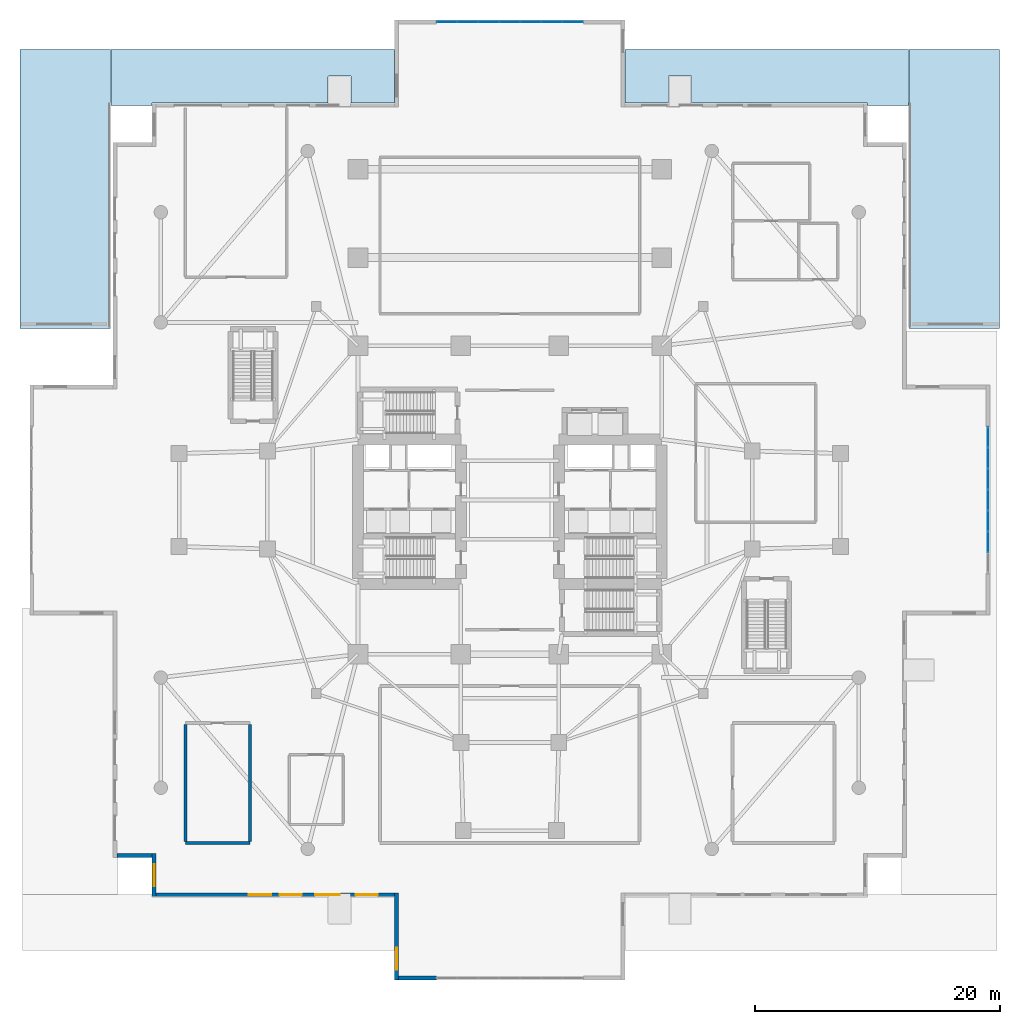
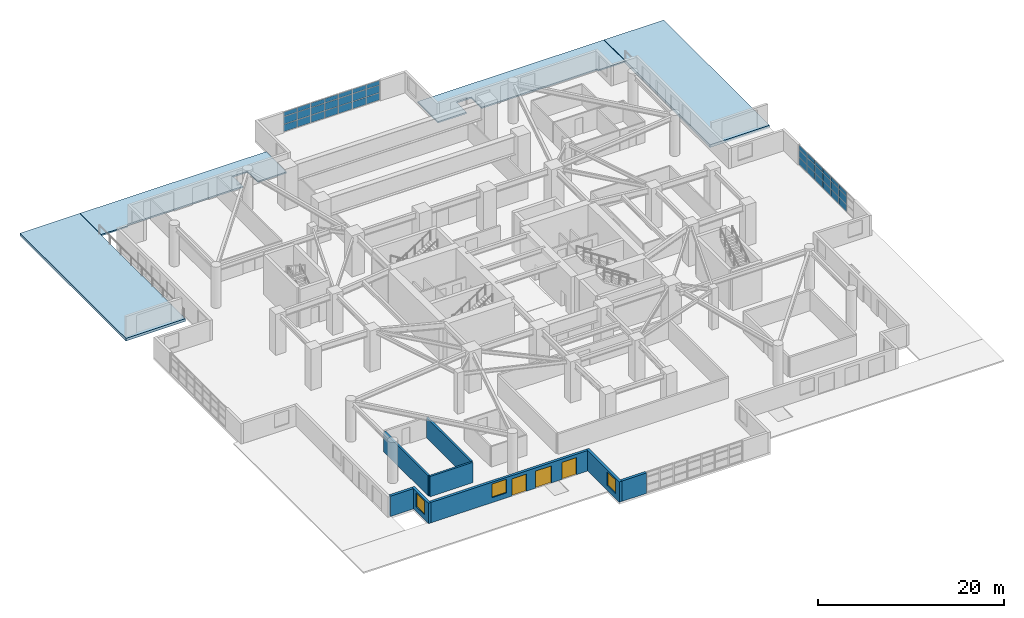
# One storey, part 12 of 24: 39 plates, 8 walls, 4 slabs, 3 doors, 3 windows, 6 openings, 2 elements without a shape of their own.
"""IFC4 building model written with IfcOpenShell, lengths in metres."""

from ifc_helpers import new_model, si_unit, direction, frame, frame_2d, origin, origin_2d, place, context, subcontext, project, spatial, polyline, rectangle, outline, extrude, material, layer, layer_set, type_object, element, fill, aggregate, save


model = new_model("IFC4")

# Units and contexts
model_context = context("Model", 3, precision=1e-05, world=origin(), true_north=direction((0.0, 1.0)))
body_context = subcontext(model_context, "Body", "Model", "MODEL_VIEW")
ifc_project = project(units=[si_unit("LENGTHUNIT", "METRE"), si_unit("AREAUNIT", "SQUARE_METRE"), si_unit("VOLUMEUNIT", "CUBIC_METRE"), si_unit("PLANEANGLEUNIT", "RADIAN"), si_unit("MASSUNIT", "GRAM", prefix="KILO")], contexts=[model_context])

# Site, building, storey
site_placement = place(None, origin())
site = spatial("IfcSite", under=ifc_project, at=site_placement, CompositionType="ELEMENT")
building_placement = place(site_placement, origin())
building = spatial("IfcBuilding", under=site, at=building_placement, Name="Qingluan Cross Belvedere", CompositionType="ELEMENT")
storey_placement = place(building_placement, origin())
storey = spatial("IfcBuildingStorey", under=building, at=storey_placement, Name="L01", CompositionType="ELEMENT", Elevation=0.0)

# Curtain wall, plates
ifc_material_1 = material(Name="Thermally broken aluminium and Low-E glass", Category="aluminium")
ifc_layer_1 = layer(ifc_material_1, 0.199951171875, Name="UnitisedCW_PodiumArrival")
ifc_layer_set_1 = layer_set([ifc_layer_1], Name="Thermally broken aluminium and Low-E glass")
curtain_wall_type = type_object("IfcCurtainWallType", Name="UnitisedCW_PodiumArrival", PredefinedType="USERDEFINED", material=ifc_layer_set_1)
curtain_wall_1_placement = place(storey_placement, origin())
curtain_wall_1 = element("IfcCurtainWall", 1, at=curtain_wall_1_placement, inside=storey, type_object=curtain_wall_type, Name="UnitisedCW_PodiumArrival run env:cw:L01:N", ObjectType="UNITISED CURTAIN WALL", PredefinedType="USERDEFINED")
ifc_material_2 = material(Name="Ceramic-fritted insulated spandrel glass", Category="glass")
ifc_layer_2 = layer(ifc_material_2, 0.0439453125, Name="CWSpandrelPanel_44")
ifc_layer_set_2 = layer_set([ifc_layer_2], Name="Ceramic-fritted insulated spandrel glass")
plate_type = type_object("IfcPlateType", Name="CWSpandrelPanel_44", PredefinedType="CURTAIN_PANEL", material=ifc_layer_set_2)
plate_1_placement = place(storey_placement, frame((-5.1279296875, 39.0400390625, 0.06005859375), z_axis=(0.0, 0.0, 1.0), x_axis=(1.0, 0.0, 0.0)))
plate_1 = element("IfcPlate", 2, at=plate_1_placement, type_object=plate_type, Name="CW-P1 panel 1.1", PredefinedType="CURTAIN_PANEL", context=body_context, shape_type="SweptSolid", body=[
    extrude(rectangle(XDim=1.624267578125, YDim=0.028076171875, at=origin_2d()), origin(), (0.0, 0.0, 1.0), 0.927978515625),
])
plate_2_placement = place(storey_placement, frame((-5.1279296875, 39.0400390625, 1.048095703125), z_axis=(0.0, 0.0, 1.0), x_axis=(1.0, 0.0, 0.0)))
plate_2 = element("IfcPlate", 3, at=plate_2_placement, type_object=plate_type, Name="CW-P1 panel 1.2", PredefinedType="CURTAIN_PANEL", context=body_context, shape_type="SweptSolid", body=[
    extrude(rectangle(XDim=1.624267578125, YDim=0.028076171875, at=origin_2d()), origin(), (0.0, 0.0, 1.0), 0.958984375),
])
plate_3_placement = place(storey_placement, frame((-5.1279296875, 39.0400390625, 2.06689453125), z_axis=(0.0, 0.0, 1.0), x_axis=(1.0, 0.0, 0.0)))
plate_3 = element("IfcPlate", 4, at=plate_3_placement, type_object=plate_type, Name="CW-P1 panel 1.3", PredefinedType="CURTAIN_PANEL", context=body_context, shape_type="SweptSolid", body=[
    extrude(rectangle(XDim=1.624267578125, YDim=0.028076171875, at=origin_2d()), origin(), (0.0, 0.0, 1.0), 0.552978515625),
])
plate_4_placement = place(storey_placement, frame((-3.428466796875, 39.0400390625, 0.06005859375), z_axis=(0.0, 0.0, 1.0), x_axis=(1.0, 0.0, 0.0)))
plate_4 = element("IfcPlate", 5, at=plate_4_placement, type_object=plate_type, Name="CW-P1 panel 2.1", PredefinedType="CURTAIN_PANEL", context=body_context, shape_type="SweptSolid", body=[
    extrude(rectangle(XDim=1.654296875, YDim=0.028076171875, at=origin_2d()), origin(), (0.0, 0.0, 1.0), 0.927978515625),
])
plate_5_placement = place(storey_placement, frame((-3.428466796875, 39.0400390625, 1.048095703125), z_axis=(0.0, 0.0, 1.0), x_axis=(1.0, 0.0, 0.0)))
plate_5 = element("IfcPlate", 6, at=plate_5_placement, type_object=plate_type, Name="CW-P1 panel 2.2", PredefinedType="CURTAIN_PANEL", context=body_context, shape_type="SweptSolid", body=[
    extrude(rectangle(XDim=1.654296875, YDim=0.028076171875, at=origin_2d()), origin(), (0.0, 0.0, 1.0), 0.958984375),
])
plate_6_placement = place(storey_placement, frame((-3.428466796875, 39.0400390625, 2.06689453125), z_axis=(0.0, 0.0, 1.0), x_axis=(1.0, 0.0, 0.0)))
plate_6 = element("IfcPlate", 7, at=plate_6_placement, type_object=plate_type, Name="CW-P1 panel 2.3", PredefinedType="CURTAIN_PANEL", context=body_context, shape_type="SweptSolid", body=[
    extrude(rectangle(XDim=1.654296875, YDim=0.028076171875, at=origin_2d()), origin(), (0.0, 0.0, 1.0), 0.552978515625),
])
plate_7_placement = place(storey_placement, frame((-1.71435546875, 39.0400390625, 0.06005859375), z_axis=(0.0, 0.0, 1.0), x_axis=(1.0, 0.0, 0.0)))
plate_7 = element("IfcPlate", 8, at=plate_7_placement, type_object=plate_type, Name="CW-P1 panel 3.1", PredefinedType="CURTAIN_PANEL", context=body_context, shape_type="SweptSolid", body=[
    extrude(rectangle(XDim=1.654296875, YDim=0.028076171875, at=origin_2d()), origin(), (0.0, 0.0, 1.0), 0.927978515625),
])
plate_8_placement = place(storey_placement, frame((-1.71435546875, 39.0400390625, 1.048095703125), z_axis=(0.0, 0.0, 1.0), x_axis=(1.0, 0.0, 0.0)))
plate_8 = element("IfcPlate", 9, at=plate_8_placement, type_object=plate_type, Name="CW-P1 panel 3.2", PredefinedType="CURTAIN_PANEL", context=body_context, shape_type="SweptSolid", body=[
    extrude(rectangle(XDim=1.654296875, YDim=0.028076171875, at=origin_2d()), origin(), (0.0, 0.0, 1.0), 0.958984375),
])
plate_9_placement = place(storey_placement, frame((-1.71435546875, 39.0400390625, 2.06689453125), z_axis=(0.0, 0.0, 1.0), x_axis=(1.0, 0.0, 0.0)))
plate_9 = element("IfcPlate", 10, at=plate_9_placement, type_object=plate_type, Name="CW-P1 panel 3.3", PredefinedType="CURTAIN_PANEL", context=body_context, shape_type="SweptSolid", body=[
    extrude(rectangle(XDim=1.654296875, YDim=0.028076171875, at=origin_2d()), origin(), (0.0, 0.0, 1.0), 0.552978515625),
])
plate_10_placement = place(storey_placement, frame((0.0, 39.0400390625, 0.06005859375), z_axis=(0.0, 0.0, 1.0), x_axis=(1.0, 0.0, 0.0)))
plate_10 = element("IfcPlate", 11, at=plate_10_placement, type_object=plate_type, Name="CW-P1 panel 4.1", PredefinedType="CURTAIN_PANEL", context=body_context, shape_type="SweptSolid", body=[
    extrude(rectangle(XDim=1.654296875, YDim=0.028076171875, at=origin_2d()), origin(), (0.0, 0.0, 1.0), 0.927978515625),
])
plate_11_placement = place(storey_placement, frame((0.0, 39.0400390625, 1.048095703125), z_axis=(0.0, 0.0, 1.0), x_axis=(1.0, 0.0, 0.0)))
plate_11 = element("IfcPlate", 12, at=plate_11_placement, type_object=plate_type, Name="CW-P1 panel 4.2", PredefinedType="CURTAIN_PANEL", context=body_context, shape_type="SweptSolid", body=[
    extrude(rectangle(XDim=1.654296875, YDim=0.028076171875, at=origin_2d()), origin(), (0.0, 0.0, 1.0), 0.958984375),
])
plate_12_placement = place(storey_placement, frame((0.0, 39.0400390625, 2.06689453125), z_axis=(0.0, 0.0, 1.0), x_axis=(1.0, 0.0, 0.0)))
plate_12 = element("IfcPlate", 13, at=plate_12_placement, type_object=plate_type, Name="CW-P1 panel 4.3", PredefinedType="CURTAIN_PANEL", context=body_context, shape_type="SweptSolid", body=[
    extrude(rectangle(XDim=1.654296875, YDim=0.028076171875, at=origin_2d()), origin(), (0.0, 0.0, 1.0), 0.552978515625),
])
plate_13_placement = place(storey_placement, frame((1.71435546875, 39.0400390625, 0.06005859375), z_axis=(0.0, 0.0, 1.0), x_axis=(1.0, 0.0, 0.0)))
plate_13 = element("IfcPlate", 14, at=plate_13_placement, type_object=plate_type, Name="CW-P1 panel 5.1", PredefinedType="CURTAIN_PANEL", context=body_context, shape_type="SweptSolid", body=[
    extrude(rectangle(XDim=1.654296875, YDim=0.028076171875, at=origin_2d()), origin(), (0.0, 0.0, 1.0), 0.927978515625),
])
plate_14_placement = place(storey_placement, frame((1.71435546875, 39.0400390625, 1.048095703125), z_axis=(0.0, 0.0, 1.0), x_axis=(1.0, 0.0, 0.0)))
plate_14 = element("IfcPlate", 15, at=plate_14_placement, type_object=plate_type, Name="CW-P1 panel 5.2", PredefinedType="CURTAIN_PANEL", context=body_context, shape_type="SweptSolid", body=[
    extrude(rectangle(XDim=1.654296875, YDim=0.028076171875, at=origin_2d()), origin(), (0.0, 0.0, 1.0), 0.958984375),
])
plate_15_placement = place(storey_placement, frame((1.71435546875, 39.0400390625, 2.06689453125), z_axis=(0.0, 0.0, 1.0), x_axis=(1.0, 0.0, 0.0)))
plate_15 = element("IfcPlate", 16, at=plate_15_placement, type_object=plate_type, Name="CW-P1 panel 5.3", PredefinedType="CURTAIN_PANEL", context=body_context, shape_type="SweptSolid", body=[
    extrude(rectangle(XDim=1.654296875, YDim=0.028076171875, at=origin_2d()), origin(), (0.0, 0.0, 1.0), 0.552978515625),
])
plate_16_placement = place(storey_placement, frame((3.428466796875, 39.0400390625, 0.06005859375), z_axis=(0.0, 0.0, 1.0), x_axis=(1.0, 0.0, 0.0)))
plate_16 = element("IfcPlate", 17, at=plate_16_placement, type_object=plate_type, Name="CW-P1 panel 6.1", PredefinedType="CURTAIN_PANEL", context=body_context, shape_type="SweptSolid", body=[
    extrude(rectangle(XDim=1.654296875, YDim=0.028076171875, at=origin_2d()), origin(), (0.0, 0.0, 1.0), 0.927978515625),
])
plate_17_placement = place(storey_placement, frame((3.428466796875, 39.0400390625, 1.048095703125), z_axis=(0.0, 0.0, 1.0), x_axis=(1.0, 0.0, 0.0)))
plate_17 = element("IfcPlate", 18, at=plate_17_placement, type_object=plate_type, Name="CW-P1 panel 6.2", PredefinedType="CURTAIN_PANEL", context=body_context, shape_type="SweptSolid", body=[
    extrude(rectangle(XDim=1.654296875, YDim=0.028076171875, at=origin_2d()), origin(), (0.0, 0.0, 1.0), 0.958984375),
])
plate_18_placement = place(storey_placement, frame((3.428466796875, 39.0400390625, 2.06689453125), z_axis=(0.0, 0.0, 1.0), x_axis=(1.0, 0.0, 0.0)))
plate_18 = element("IfcPlate", 19, at=plate_18_placement, type_object=plate_type, Name="CW-P1 panel 6.3", PredefinedType="CURTAIN_PANEL", context=body_context, shape_type="SweptSolid", body=[
    extrude(rectangle(XDim=1.654296875, YDim=0.028076171875, at=origin_2d()), origin(), (0.0, 0.0, 1.0), 0.552978515625),
])
plate_19_placement = place(storey_placement, frame((5.1279296875, 39.0400390625, 0.06005859375), z_axis=(0.0, 0.0, 1.0), x_axis=(1.0, 0.0, 0.0)))
plate_19 = element("IfcPlate", 20, at=plate_19_placement, type_object=plate_type, Name="CW-P1 panel 7.1", PredefinedType="CURTAIN_PANEL", context=body_context, shape_type="SweptSolid", body=[
    extrude(rectangle(XDim=1.624267578125, YDim=0.028076171875, at=origin_2d()), origin(), (0.0, 0.0, 1.0), 0.927978515625),
])
plate_20_placement = place(storey_placement, frame((5.1279296875, 39.0400390625, 1.048095703125), z_axis=(0.0, 0.0, 1.0), x_axis=(1.0, 0.0, 0.0)))
plate_20 = element("IfcPlate", 21, at=plate_20_placement, type_object=plate_type, Name="CW-P1 panel 7.2", PredefinedType="CURTAIN_PANEL", context=body_context, shape_type="SweptSolid", body=[
    extrude(rectangle(XDim=1.624267578125, YDim=0.028076171875, at=origin_2d()), origin(), (0.0, 0.0, 1.0), 0.958984375),
])
plate_21_placement = place(storey_placement, frame((5.1279296875, 39.0400390625, 2.06689453125), z_axis=(0.0, 0.0, 1.0), x_axis=(1.0, 0.0, 0.0)))
plate_21 = element("IfcPlate", 22, at=plate_21_placement, type_object=plate_type, Name="CW-P1 panel 7.3", PredefinedType="CURTAIN_PANEL", context=body_context, shape_type="SweptSolid", body=[
    extrude(rectangle(XDim=1.624267578125, YDim=0.028076171875, at=origin_2d()), origin(), (0.0, 0.0, 1.0), 0.552978515625),
])
aggregate(curtain_wall_1, [plate_1, plate_2, plate_3, plate_4, plate_5, plate_6, plate_7, plate_8, plate_9, plate_10, plate_11, plate_12, plate_13, plate_14, plate_15, plate_16, plate_17, plate_18, plate_19, plate_20, plate_21])

curtain_wall_2_placement = place(storey_placement, origin())
curtain_wall_2 = element("IfcCurtainWall", 23, at=curtain_wall_2_placement, inside=storey, type_object=curtain_wall_type, Name="UnitisedCW_PodiumArrival run env:cw:L01:E", ObjectType="UNITISED CURTAIN WALL", PredefinedType="USERDEFINED")
plate_22_placement = place(storey_placement, frame((39.0400390625, 5.1279296875, 0.06005859375), z_axis=(0.0, 0.0, 1.0), x_axis=(0.0, -1.0, 0.0)))
plate_22 = element("IfcPlate", 24, at=plate_22_placement, type_object=plate_type, Name="CW-P1 panel 1.1", PredefinedType="CURTAIN_PANEL", context=body_context, shape_type="SweptSolid", body=[
    extrude(rectangle(XDim=1.624267578125, YDim=0.028076171875, at=origin_2d()), origin(), (0.0, 0.0, 1.0), 0.927978515625),
])
plate_23_placement = place(storey_placement, frame((39.0400390625, 5.1279296875, 1.048095703125), z_axis=(0.0, 0.0, 1.0), x_axis=(0.0, -1.0, 0.0)))
plate_23 = element("IfcPlate", 25, at=plate_23_placement, type_object=plate_type, Name="CW-P1 panel 1.2", PredefinedType="CURTAIN_PANEL", context=body_context, shape_type="SweptSolid", body=[
    extrude(rectangle(XDim=1.624267578125, YDim=0.028076171875, at=origin_2d()), origin(), (0.0, 0.0, 1.0), 0.958984375),
])
plate_24_placement = place(storey_placement, frame((39.0400390625, 5.1279296875, 2.06689453125), z_axis=(0.0, 0.0, 1.0), x_axis=(0.0, -1.0, 0.0)))
plate_24 = element("IfcPlate", 26, at=plate_24_placement, type_object=plate_type, Name="CW-P1 panel 1.3", PredefinedType="CURTAIN_PANEL", context=body_context, shape_type="SweptSolid", body=[
    extrude(rectangle(XDim=1.624267578125, YDim=0.028076171875, at=origin_2d()), origin(), (0.0, 0.0, 1.0), 0.552978515625),
])
plate_25_placement = place(storey_placement, frame((39.0400390625, 3.428466796875, 0.06005859375), z_axis=(0.0, 0.0, 1.0), x_axis=(0.0, -1.0, 0.0)))
plate_25 = element("IfcPlate", 27, at=plate_25_placement, type_object=plate_type, Name="CW-P1 panel 2.1", PredefinedType="CURTAIN_PANEL", context=body_context, shape_type="SweptSolid", body=[
    extrude(rectangle(XDim=1.654296875, YDim=0.028076171875, at=origin_2d()), origin(), (0.0, 0.0, 1.0), 0.927978515625),
])
plate_26_placement = place(storey_placement, frame((39.0400390625, 3.428466796875, 1.048095703125), z_axis=(0.0, 0.0, 1.0), x_axis=(0.0, -1.0, 0.0)))
plate_26 = element("IfcPlate", 28, at=plate_26_placement, type_object=plate_type, Name="CW-P1 panel 2.2", PredefinedType="CURTAIN_PANEL", context=body_context, shape_type="SweptSolid", body=[
    extrude(rectangle(XDim=1.654296875, YDim=0.028076171875, at=origin_2d()), origin(), (0.0, 0.0, 1.0), 0.958984375),
])
plate_27_placement = place(storey_placement, frame((39.0400390625, 3.428466796875, 2.06689453125), z_axis=(0.0, 0.0, 1.0), x_axis=(0.0, -1.0, 0.0)))
plate_27 = element("IfcPlate", 29, at=plate_27_placement, type_object=plate_type, Name="CW-P1 panel 2.3", PredefinedType="CURTAIN_PANEL", context=body_context, shape_type="SweptSolid", body=[
    extrude(rectangle(XDim=1.654296875, YDim=0.028076171875, at=origin_2d()), origin(), (0.0, 0.0, 1.0), 0.552978515625),
])
plate_28_placement = place(storey_placement, frame((39.0400390625, 1.71435546875, 0.06005859375), z_axis=(0.0, 0.0, 1.0), x_axis=(0.0, -1.0, 0.0)))
plate_28 = element("IfcPlate", 30, at=plate_28_placement, type_object=plate_type, Name="CW-P1 panel 3.1", PredefinedType="CURTAIN_PANEL", context=body_context, shape_type="SweptSolid", body=[
    extrude(rectangle(XDim=1.654296875, YDim=0.028076171875, at=origin_2d()), origin(), (0.0, 0.0, 1.0), 0.927978515625),
])
plate_29_placement = place(storey_placement, frame((39.0400390625, 1.71435546875, 1.048095703125), z_axis=(0.0, 0.0, 1.0), x_axis=(0.0, -1.0, 0.0)))
plate_29 = element("IfcPlate", 31, at=plate_29_placement, type_object=plate_type, Name="CW-P1 panel 3.2", PredefinedType="CURTAIN_PANEL", context=body_context, shape_type="SweptSolid", body=[
    extrude(rectangle(XDim=1.654296875, YDim=0.028076171875, at=origin_2d()), origin(), (0.0, 0.0, 1.0), 0.958984375),
])
plate_30_placement = place(storey_placement, frame((39.0400390625, 1.71435546875, 2.06689453125), z_axis=(0.0, 0.0, 1.0), x_axis=(0.0, -1.0, 0.0)))
plate_30 = element("IfcPlate", 32, at=plate_30_placement, type_object=plate_type, Name="CW-P1 panel 3.3", PredefinedType="CURTAIN_PANEL", context=body_context, shape_type="SweptSolid", body=[
    extrude(rectangle(XDim=1.654296875, YDim=0.028076171875, at=origin_2d()), origin(), (0.0, 0.0, 1.0), 0.552978515625),
])
plate_31_placement = place(storey_placement, frame((39.0400390625, 0.0, 0.06005859375), z_axis=(0.0, 0.0, 1.0), x_axis=(0.0, -1.0, 0.0)))
plate_31 = element("IfcPlate", 33, at=plate_31_placement, type_object=plate_type, Name="CW-P1 panel 4.1", PredefinedType="CURTAIN_PANEL", context=body_context, shape_type="SweptSolid", body=[
    extrude(rectangle(XDim=1.654296875, YDim=0.028076171875, at=origin_2d()), origin(), (0.0, 0.0, 1.0), 0.927978515625),
])
plate_32_placement = place(storey_placement, frame((39.0400390625, 0.0, 1.048095703125), z_axis=(0.0, 0.0, 1.0), x_axis=(0.0, -1.0, 0.0)))
plate_32 = element("IfcPlate", 34, at=plate_32_placement, type_object=plate_type, Name="CW-P1 panel 4.2", PredefinedType="CURTAIN_PANEL", context=body_context, shape_type="SweptSolid", body=[
    extrude(rectangle(XDim=1.654296875, YDim=0.028076171875, at=origin_2d()), origin(), (0.0, 0.0, 1.0), 0.958984375),
])
plate_33_placement = place(storey_placement, frame((39.0400390625, 0.0, 2.06689453125), z_axis=(0.0, 0.0, 1.0), x_axis=(0.0, -1.0, 0.0)))
plate_33 = element("IfcPlate", 35, at=plate_33_placement, type_object=plate_type, Name="CW-P1 panel 4.3", PredefinedType="CURTAIN_PANEL", context=body_context, shape_type="SweptSolid", body=[
    extrude(rectangle(XDim=1.654296875, YDim=0.028076171875, at=origin_2d()), origin(), (0.0, 0.0, 1.0), 0.552978515625),
])
plate_34_placement = place(storey_placement, frame((39.0400390625, -1.71435546875, 0.06005859375), z_axis=(0.0, 0.0, 1.0), x_axis=(0.0, -1.0, 0.0)))
plate_34 = element("IfcPlate", 36, at=plate_34_placement, type_object=plate_type, Name="CW-P1 panel 5.1", PredefinedType="CURTAIN_PANEL", context=body_context, shape_type="SweptSolid", body=[
    extrude(rectangle(XDim=1.654296875, YDim=0.028076171875, at=origin_2d()), origin(), (0.0, 0.0, 1.0), 0.927978515625),
])
plate_35_placement = place(storey_placement, frame((39.0400390625, -1.71435546875, 1.048095703125), z_axis=(0.0, 0.0, 1.0), x_axis=(0.0, -1.0, 0.0)))
plate_35 = element("IfcPlate", 37, at=plate_35_placement, type_object=plate_type, Name="CW-P1 panel 5.2", PredefinedType="CURTAIN_PANEL", context=body_context, shape_type="SweptSolid", body=[
    extrude(rectangle(XDim=1.654296875, YDim=0.028076171875, at=origin_2d()), origin(), (0.0, 0.0, 1.0), 0.958984375),
])
plate_36_placement = place(storey_placement, frame((39.0400390625, -1.71435546875, 2.06689453125), z_axis=(0.0, 0.0, 1.0), x_axis=(0.0, -1.0, 0.0)))
plate_36 = element("IfcPlate", 38, at=plate_36_placement, type_object=plate_type, Name="CW-P1 panel 5.3", PredefinedType="CURTAIN_PANEL", context=body_context, shape_type="SweptSolid", body=[
    extrude(rectangle(XDim=1.654296875, YDim=0.028076171875, at=origin_2d()), origin(), (0.0, 0.0, 1.0), 0.552978515625),
])
plate_37_placement = place(storey_placement, frame((39.0400390625, -3.428466796875, 0.06005859375), z_axis=(0.0, 0.0, 1.0), x_axis=(0.0, -1.0, 0.0)))
plate_37 = element("IfcPlate", 39, at=plate_37_placement, type_object=plate_type, Name="CW-P1 panel 6.1", PredefinedType="CURTAIN_PANEL", context=body_context, shape_type="SweptSolid", body=[
    extrude(rectangle(XDim=1.654296875, YDim=0.028076171875, at=origin_2d()), origin(), (0.0, 0.0, 1.0), 0.927978515625),
])
plate_38_placement = place(storey_placement, frame((39.0400390625, -3.428466796875, 1.048095703125), z_axis=(0.0, 0.0, 1.0), x_axis=(0.0, -1.0, 0.0)))
plate_38 = element("IfcPlate", 40, at=plate_38_placement, type_object=plate_type, Name="CW-P1 panel 6.2", PredefinedType="CURTAIN_PANEL", context=body_context, shape_type="SweptSolid", body=[
    extrude(rectangle(XDim=1.654296875, YDim=0.028076171875, at=origin_2d()), origin(), (0.0, 0.0, 1.0), 0.958984375),
])
plate_39_placement = place(storey_placement, frame((39.0400390625, -3.428466796875, 2.06689453125), z_axis=(0.0, 0.0, 1.0), x_axis=(0.0, -1.0, 0.0)))
plate_39 = element("IfcPlate", 41, at=plate_39_placement, type_object=plate_type, Name="CW-P1 panel 6.3", PredefinedType="CURTAIN_PANEL", context=body_context, shape_type="SweptSolid", body=[
    extrude(rectangle(XDim=1.654296875, YDim=0.028076171875, at=origin_2d()), origin(), (0.0, 0.0, 1.0), 0.552978515625),
])
aggregate(curtain_wall_2, [plate_22, plate_23, plate_24, plate_25, plate_26, plate_27, plate_28, plate_29, plate_30, plate_31, plate_32, plate_33, plate_34, plate_35, plate_36, plate_37, plate_38, plate_39])

# Slabs
ifc_material_3 = material(Name="Concrete C40", Category="concrete")
ifc_layer_3 = layer(ifc_material_3, 0.35009765625, Name="FloorSlab_350")
ifc_layer_set_3 = layer_set([ifc_layer_3], Name="Concrete C40")
slab_type_1 = type_object("IfcSlabType", Name="FloorSlab_350", PredefinedType="FLOOR", material=ifc_layer_set_3)
slab_1_placement = place(storey_placement, frame((0.0, 0.0, -0.35009765625)))
element("IfcSlab", 42, at=slab_1_placement, inside=storey, type_object=slab_type_1, Name="West vehicle ramp arrival apron slab L01", PredefinedType="FLOOR", context=body_context, shape_type="SweptSolid", body=[
    extrude(outline(polyline([(-32.60009765625, 14.0), (-32.60009765625, 36.800048828125), (-40.0, 36.800048828125), (-40.0, 14.0), (-32.60009765625, 14.0)])), origin(), (0.0, 0.0, 1.0), 0.35009765625),
])
slab_2_placement = place(storey_placement, frame((0.0, 0.0, -0.35009765625)))
element("IfcSlab", 43, at=slab_2_placement, inside=storey, type_object=slab_type_1, Name="East vehicle ramp exit apron slab L01", PredefinedType="FLOOR", context=body_context, shape_type="SweptSolid", body=[
    extrude(outline(polyline([(40.0, 14.0), (40.0, 36.800048828125), (32.60009765625, 36.800048828125), (32.60009765625, 14.0), (40.0, 14.0)])), origin(), (0.0, 0.0, 1.0), 0.35009765625),
])
ifc_material_4 = material(Name="Concrete C30", Category="concrete")
ifc_layer_4 = layer(ifc_material_4, 0.179931640625, Name="ForecourtPaving_180")
ifc_layer_set_4 = layer_set([ifc_layer_4], Name="Concrete C30")
slab_type_2 = type_object("IfcSlabType", Name="ForecourtPaving_180", PredefinedType="USERDEFINED", material=ifc_layer_set_4)
slab_3_placement = place(storey_placement, frame((0.0, 0.0, -0.179931640625)))
element("IfcSlab", 44, at=slab_3_placement, inside=storey, type_object=slab_type_2, Name="Public garden forecourt paving 3", ObjectType="PAVING", PredefinedType="USERDEFINED", context=body_context, shape_type="SweptSolid", body=[
    extrude(outline(polyline([(-32.550048828125, 36.800048828125), (-32.550048828125, 32.199951171875), (-29.2080078125, 32.199951171875), (-29.199951171875, 32.407958984375), (-14.830078125, 32.407958984375), (-14.830078125, 34.60009765625), (-14.800048828125, 34.6298828125), (-13.0, 34.6298828125), (-12.976806640625, 34.618896484375), (-12.969970703125, 32.407958984375), (-9.407958984375, 32.407958984375), (-9.407958984375, 36.800048828125), (-32.550048828125, 36.800048828125)])), origin(), (0.0, 0.0, 1.0), 0.179931640625),
])
slab_4_placement = place(storey_placement, frame((0.0, 0.0, -0.179931640625)))
element("IfcSlab", 45, at=slab_4_placement, inside=storey, type_object=slab_type_2, Name="Public garden forecourt paving 4", ObjectType="PAVING", PredefinedType="USERDEFINED", context=body_context, shape_type="SweptSolid", body=[
    extrude(outline(polyline([(9.407958984375, 36.800048828125), (9.407958984375, 32.407958984375), (12.969970703125, 32.407958984375), (12.976806640625, 34.618896484375), (13.0, 34.6298828125), (14.800048828125, 34.6298828125), (14.830078125, 34.60009765625), (14.830078125, 32.407958984375), (29.199951171875, 32.407958984375), (29.2080078125, 32.199951171875), (32.550048828125, 32.199951171875), (32.550048828125, 36.800048828125), (9.407958984375, 36.800048828125)])), origin(), (0.0, 0.0, 1.0), 0.179931640625),
])

# Walls
ifc_material_5 = material(Name="Concrete C40", Category="concrete")
ifc_layer_5 = layer(ifc_material_5, 0.300048828125, Name="FireCompartmentWall_300")
ifc_layer_set_5 = layer_set([ifc_layer_5], Name="Concrete C40")
wall_type_1 = type_object("IfcWallType", Name="FireCompartmentWall_300", PredefinedType="SOLIDWALL", material=ifc_layer_set_5)
wall_1_placement = place(storey_placement, frame((-26.5, -28.0, 0.0), z_axis=(0.0, 0.0, 1.0), x_axis=(1.0, 0.0, 0.0)))
element("IfcWall", 46, at=wall_1_placement, inside=storey, type_object=wall_type_1, Name="Partition L01:main_kitchen:S", PredefinedType="SOLIDWALL", context=body_context, shape_type="SweptSolid", body=[
    extrude(rectangle(XDim=5.300048828125, YDim=0.239990234375, at=frame_2d((2.64990234375, 0.0))), origin(), (0.0, 0.0, 1.0), 2.669921875),
])
for number, where, z_axis, x_axis, name in (
    (47, (-26.5, -27.875, 0.0), (0.0, 0.0, 1.0), (0.0, 1.0, 0.0), "Partition L01:main_kitchen:W"),
    (48, (-21.199951171875, -27.875, 0.0), (0.0, 0.0, 1.0), (0.0, 1.0, 0.0), "Partition L01:main_kitchen:E"),
):
    element("IfcWall", number, at=place(storey_placement, frame(where, z_axis=z_axis, x_axis=x_axis)), inside=storey, type_object=wall_type_1, Name=name, PredefinedType="SOLIDWALL", context=body_context, shape_type="SweptSolid", body=[
        extrude(rectangle(XDim=9.550048828125, YDim=0.239990234375, at=frame_2d((4.77490234375, 0.0))), origin(), (0.0, 0.0, 1.0), 2.669921875),
    ])
ifc_material_6 = material(Name="Precast concrete C45", Category="concrete")
ifc_layer_6 = layer(ifc_material_6, 0.320068359375, Name="PrecastPodiumWall_320")
ifc_layer_set_6 = layer_set([ifc_layer_6], Name="Precast concrete C45")
wall_type_2 = type_object("IfcWallType", Name="PrecastPodiumWall_320", PredefinedType="STANDARD", material=ifc_layer_set_6)
wall_2_placement = place(storey_placement, frame((-6.0, -39.0400390625, 0.0), z_axis=(0.0, 0.0, 1.0), x_axis=(-1.0, 0.0, 0.0)))
element("IfcWall", 49, at=wall_2_placement, inside=storey, type_object=wall_type_2, Name="Podium portal pier L01-P1JB", PredefinedType="STANDARD", context=body_context, shape_type="SweptSolid", body=[
    extrude(rectangle(XDim=3.080078125, YDim=0.320068359375, at=frame_2d((1.5400390625, 0.0))), origin(), (0.0, 0.0, 1.0), 2.679931640625),
])

# Wall, opening, window
wall_3_placement = place(storey_placement, frame((-9.239990234375, -39.199951171875, 0.0), z_axis=(0.0, 0.0, 1.0), x_axis=(0.0, 1.0, 0.0)))
wall_3 = element("IfcWall", 50, at=wall_3_placement, inside=storey, type_object=wall_type_2, Name="Podium precast facade wall L01-S5", PredefinedType="STANDARD", context=body_context, shape_type="SweptSolid", body=[
    extrude(rectangle(XDim=7.119873046875, YDim=0.320068359375, at=frame_2d((3.56005859375, 0.0))), origin(), (0.0, 0.0, 1.0), 2.679931640625),
])
opening_1_placement = place(wall_3_placement, frame((0.85009765625, 0.0, 0.64990234375)))
opening_1 = element("IfcOpeningElement", 51, at=opening_1_placement, cuts=wall_3, Name="Opening W-06", PredefinedType="OPENING", context=body_context, shape_type="SweptSolid", body=[
    extrude(rectangle(XDim=1.800048828125, YDim=1.800048828125, at=frame_2d((0.89990234375, 0.89990234375))), frame((0.0, 0.169921875, 0.0), z_axis=(0.0, -1.0, 0.0), x_axis=(1.0, 0.0, 0.0)), (0.0, 0.0, 1.0), 0.340087890625),
])
ifc_material_7 = material(Name="Thermally broken triple Low-E glass in aluminium frame", Category="aluminium")
window_type = type_object("IfcWindowType", Name="PodiumGalleryWin_1800x1800", PartitioningType="SINGLE_PANEL", PredefinedType="WINDOW", material=ifc_material_7)
window_1_placement = place(opening_1_placement, origin())
window_1 = element("IfcWindow", 52, at=window_1_placement, inside=storey, type_object=window_type, Name="Podium gallery window L01-S5", OverallHeight=1.800048828125, OverallWidth=1.800048828125, PartitioningType="SINGLE_PANEL", PredefinedType="WINDOW", context=body_context, shape_type="SweptSolid", body=[
    extrude(rectangle(XDim=1.800048828125, YDim=1.800048828125, at=frame_2d((0.89990234375, 0.89990234375))), frame((0.0, 0.030029296875, 0.0), z_axis=(0.0, -1.0, 0.0), x_axis=(1.0, 0.0, 0.0)), (0.0, 0.0, 1.0), 0.06005859375),
])
fill(opening_1, window_1)

# Wall, openings, doors, window
wall_4_placement = place(storey_placement, frame((-9.39990234375, -32.239990234375, 0.0), z_axis=(0.0, 0.0, 1.0), x_axis=(-1.0, 0.0, 0.0)))
wall_4 = element("IfcWall", 53, at=wall_4_placement, inside=storey, type_object=wall_type_2, Name="Podium precast facade wall L01-S6", PredefinedType="STANDARD", context=body_context, shape_type="SweptSolid", body=[
    extrude(rectangle(XDim=19.47998046875, YDim=0.320068359375, at=frame_2d((9.739990234375, 0.0))), origin(), (0.0, 0.0, 1.0), 2.679931640625),
])
opening_2_placement = place(wall_4_placement, frame((1.39990234375, 0.0, 0.0)))
opening_2 = element("IfcOpeningElement", 54, at=opening_2_placement, cuts=wall_4, Name="Opening ED-18", PredefinedType="OPENING", context=body_context, shape_type="SweptSolid", body=[
    extrude(rectangle(XDim=1.800048828125, YDim=2.25, at=frame_2d((0.89990234375, 1.125))), frame((0.0, 0.169921875, 0.0), z_axis=(0.0, -1.0, 0.0), x_axis=(1.0, 0.0, 0.0)), (0.0, 0.0, 1.0), 0.340087890625),
])
opening_3_placement = place(wall_4_placement, frame((4.5, 0.0, 0.0)))
opening_3 = element("IfcOpeningElement", 55, at=opening_3_placement, cuts=wall_4, Name="Opening ED-20", PredefinedType="OPENING", context=body_context, shape_type="SweptSolid", body=[
    extrude(rectangle(XDim=2.0, YDim=2.25, at=frame_2d((1.0, 1.125))), frame((0.0, 0.169921875, 0.0), z_axis=(0.0, -1.0, 0.0), x_axis=(1.0, 0.0, 0.0)), (0.0, 0.0, 1.0), 0.340087890625),
])
opening_4_placement = place(wall_4_placement, frame((7.60009765625, 0.0, 0.0)))
opening_4 = element("IfcOpeningElement", 56, at=opening_4_placement, cuts=wall_4, Name="Opening ED-18", PredefinedType="OPENING", context=body_context, shape_type="SweptSolid", body=[
    extrude(rectangle(XDim=1.800048828125, YDim=2.25, at=frame_2d((0.89990234375, 1.125))), frame((0.0, 0.169921875, 0.0), z_axis=(0.0, -1.0, 0.0), x_axis=(1.0, 0.0, 0.0)), (0.0, 0.0, 1.0), 0.340087890625),
])
opening_5_placement = place(wall_4_placement, frame((10.10009765625, 0.0, 0.64990234375)))
opening_5 = element("IfcOpeningElement", 57, at=opening_5_placement, cuts=wall_4, Name="Opening W-06", PredefinedType="OPENING", context=body_context, shape_type="SweptSolid", body=[
    extrude(rectangle(XDim=1.800048828125, YDim=1.800048828125, at=frame_2d((0.89990234375, 0.89990234375))), frame((0.0, 0.169921875, 0.0), z_axis=(0.0, -1.0, 0.0), x_axis=(1.0, 0.0, 0.0)), (0.0, 0.0, 1.0), 0.340087890625),
])
ifc_material_8 = material(Name="Anodised aluminium and toughened safety glass", Category="aluminium")
door_type_1 = type_object("IfcDoorType", Name="GroundExitDoubleDoor_1800", OperationType="DOUBLE_DOOR_SINGLE_SWING", PredefinedType="DOOR", material=ifc_material_8)
door_1_placement = place(opening_2_placement, origin())
door_1 = element("IfcDoor", 58, at=door_1_placement, inside=storey, type_object=door_type_1, Name="Ground pedestrian final exit door ED-04", OperationType="DOUBLE_DOOR_SINGLE_SWING", OverallHeight=2.25, OverallWidth=1.800048828125, PredefinedType="DOOR", context=body_context, shape_type="SweptSolid", body=[
    extrude(rectangle(XDim=1.800048828125, YDim=2.25, at=frame_2d((0.89990234375, 1.125))), frame((0.0, 0.02490234375, 0.0), z_axis=(0.0, -1.0, 0.0), x_axis=(1.0, 0.0, 0.0)), (0.0, 0.0, 1.0), 0.050048828125),
])
fill(opening_2, door_1)
door_2_placement = place(opening_4_placement, origin())
door_2 = element("IfcDoor", 59, at=door_2_placement, inside=storey, type_object=door_type_1, Name="Ground pedestrian final exit door ED-06", OperationType="DOUBLE_DOOR_SINGLE_SWING", OverallHeight=2.25, OverallWidth=1.800048828125, PredefinedType="DOOR", context=body_context, shape_type="SweptSolid", body=[
    extrude(rectangle(XDim=1.800048828125, YDim=2.25, at=frame_2d((0.89990234375, 1.125))), frame((0.0, 0.02490234375, 0.0), z_axis=(0.0, -1.0, 0.0), x_axis=(1.0, 0.0, 0.0)), (0.0, 0.0, 1.0), 0.050048828125),
])
fill(opening_4, door_2)
ifc_material_9 = material(Name="Anodised aluminium and toughened safety glass", Category="aluminium")
door_type_2 = type_object("IfcDoorType", Name="GroundExitDoubleDoor_2000", OperationType="DOUBLE_DOOR_SINGLE_SWING", PredefinedType="DOOR", material=ifc_material_9)
door_3_placement = place(opening_3_placement, origin())
door_3 = element("IfcDoor", 60, at=door_3_placement, inside=storey, type_object=door_type_2, Name="Ground pedestrian final exit door ED-05", OperationType="DOUBLE_DOOR_SINGLE_SWING", OverallHeight=2.25, OverallWidth=2.0, PredefinedType="DOOR", context=body_context, shape_type="SweptSolid", body=[
    extrude(rectangle(XDim=2.0, YDim=2.25, at=frame_2d((1.0, 1.125))), frame((0.0, 0.02490234375, 0.0), z_axis=(0.0, -1.0, 0.0), x_axis=(1.0, 0.0, 0.0)), (0.0, 0.0, 1.0), 0.050048828125),
])
fill(opening_3, door_3)
window_2_placement = place(opening_5_placement, origin())
window_2 = element("IfcWindow", 61, at=window_2_placement, inside=storey, type_object=window_type, Name="Podium gallery window L01-S6", OverallHeight=1.800048828125, OverallWidth=1.800048828125, PartitioningType="SINGLE_PANEL", PredefinedType="WINDOW", context=body_context, shape_type="SweptSolid", body=[
    extrude(rectangle(XDim=1.800048828125, YDim=1.800048828125, at=frame_2d((0.89990234375, 0.89990234375))), frame((0.0, 0.030029296875, 0.0), z_axis=(0.0, -1.0, 0.0), x_axis=(1.0, 0.0, 0.0)), (0.0, 0.0, 1.0), 0.06005859375),
])
fill(opening_5, window_2)

# Wall, opening, window
wall_5_placement = place(storey_placement, frame((-29.0400390625, -32.39990234375, 0.0), z_axis=(0.0, 0.0, 1.0), x_axis=(0.0, 1.0, 0.0)))
wall_5 = element("IfcWall", 62, at=wall_5_placement, inside=storey, type_object=wall_type_2, Name="Podium precast facade wall L01-S7", PredefinedType="STANDARD", context=body_context, shape_type="SweptSolid", body=[
    extrude(rectangle(XDim=3.52001953125, YDim=0.320068359375, at=frame_2d((1.760009765625, 0.0))), origin(), (0.0, 0.0, 1.0), 2.679931640625),
])
opening_6_placement = place(wall_5_placement, frame((0.85009765625, 0.0, 0.64990234375)))
opening_6 = element("IfcOpeningElement", 63, at=opening_6_placement, cuts=wall_5, Name="Opening W-06", PredefinedType="OPENING", context=body_context, shape_type="SweptSolid", body=[
    extrude(rectangle(XDim=1.800048828125, YDim=1.800048828125, at=frame_2d((0.89990234375, 0.89990234375))), frame((0.0, 0.169921875, 0.0), z_axis=(0.0, -1.0, 0.0), x_axis=(1.0, 0.0, 0.0)), (0.0, 0.0, 1.0), 0.340087890625),
])
window_3_placement = place(opening_6_placement, origin())
window_3 = element("IfcWindow", 64, at=window_3_placement, inside=storey, type_object=window_type, Name="Podium gallery window L01-S7", OverallHeight=1.800048828125, OverallWidth=1.800048828125, PartitioningType="SINGLE_PANEL", PredefinedType="WINDOW", context=body_context, shape_type="SweptSolid", body=[
    extrude(rectangle(XDim=1.800048828125, YDim=1.800048828125, at=frame_2d((0.89990234375, 0.89990234375))), frame((0.0, 0.030029296875, 0.0), z_axis=(0.0, -1.0, 0.0), x_axis=(1.0, 0.0, 0.0)), (0.0, 0.0, 1.0), 0.06005859375),
])
fill(opening_6, window_3)

# Wall
wall_6_placement = place(storey_placement, frame((-29.199951171875, -29.0400390625, 0.0), z_axis=(0.0, 0.0, 1.0), x_axis=(-1.0, 0.0, 0.0)))
element("IfcWall", 65, at=wall_6_placement, inside=storey, type_object=wall_type_2, Name="Podium precast facade wall L01-S8", PredefinedType="STANDARD", context=body_context, shape_type="SweptSolid", body=[
    extrude(rectangle(XDim=2.880126953125, YDim=0.320068359375, at=frame_2d((1.43994140625, 0.0))), origin(), (0.0, 0.0, 1.0), 2.679931640625),
])

save(model, "model.ifc")
